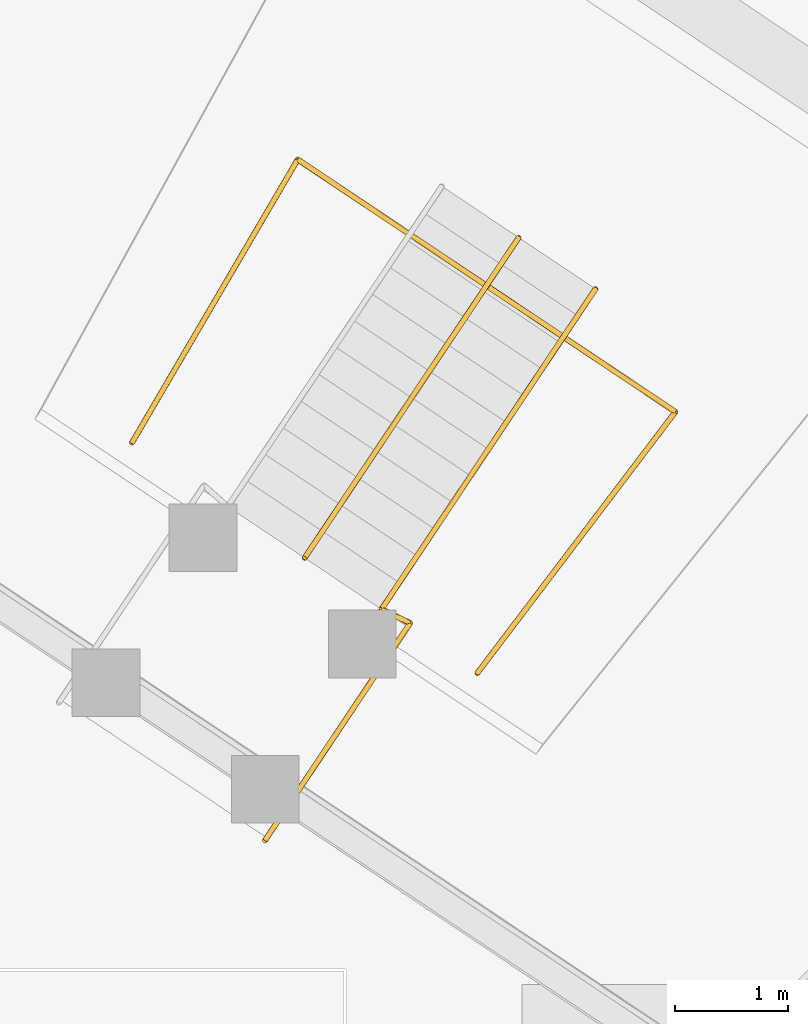
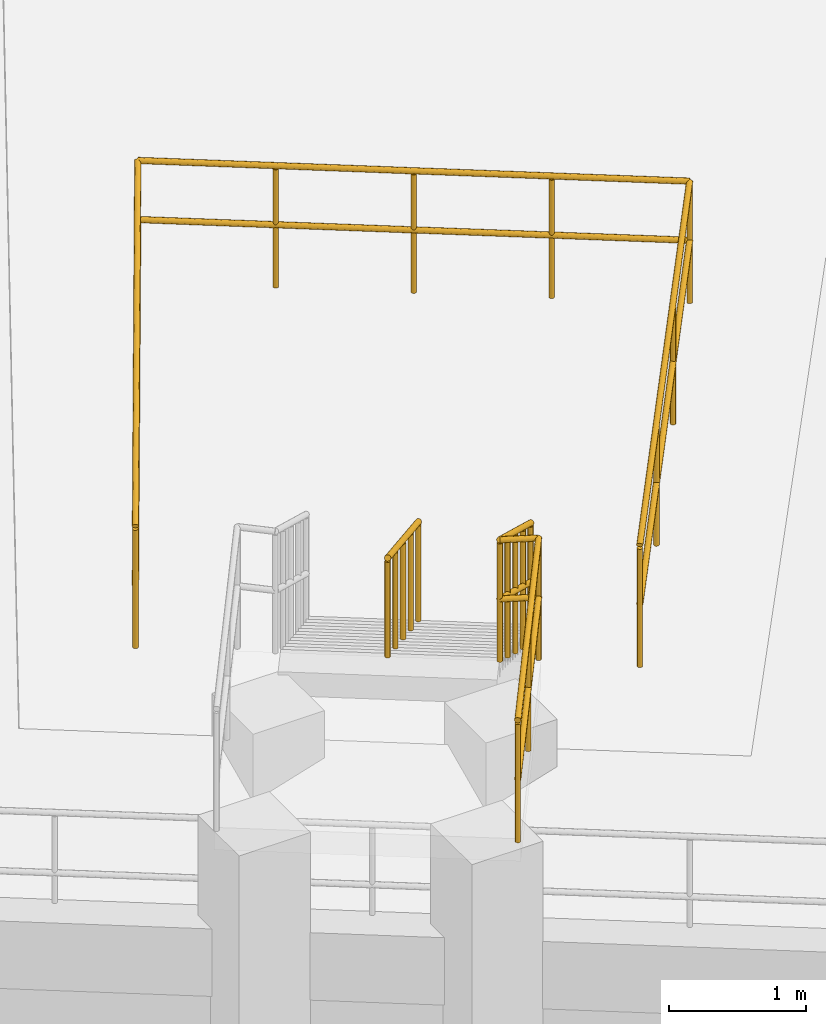
# One storey, part 60 of 68: 3 railings.
"""IFC4 building model written with IfcOpenShell, lengths in metres."""

from ifc_helpers import new_model, si_unit, direction, frame, origin, origin_2d, place, context, subcontext, project, spatial, circle, extrude, material, layer, layer_set, type_object, element, save


model = new_model("IFC4")

# Units and contexts
model_context = context("Model", 3, precision=1e-05, world=origin(), true_north=direction((0.0, 1.0)))
body_context = subcontext(model_context, "Body", "Model", "MODEL_VIEW")
ifc_project = project(units=[si_unit("LENGTHUNIT", "METRE"), si_unit("AREAUNIT", "SQUARE_METRE"), si_unit("VOLUMEUNIT", "CUBIC_METRE"), si_unit("PLANEANGLEUNIT", "RADIAN"), si_unit("MASSUNIT", "GRAM", prefix="KILO")], contexts=[model_context])

# Site, building, storey
site_placement = place(None, origin())
site = spatial("IfcSite", under=ifc_project, at=site_placement, CompositionType="ELEMENT")
building_placement = place(site_placement, origin())
building = spatial("IfcBuilding", under=site, at=building_placement, Name="Candeia Ridge Stadium", CompositionType="ELEMENT")
storey_placement = place(building_placement, origin())
storey = spatial("IfcBuildingStorey", under=building, at=storey_placement, Name="L00", CompositionType="ELEMENT", Elevation=0.0)

# Railings
ifc_material_1 = material(Name="Brushed Stainless Steel", Category="steel")
ifc_layer_1 = layer(ifc_material_1, 0.048095703125, Name="Brushed Stainless Steel", Category="steel")
ifc_layer_set_1 = layer_set([ifc_layer_1], Name="Brushed Stainless Steel")
railing_type_1 = type_object("IfcRailingType", Name="Stair Wall & Flight Handrail 900", PredefinedType="HANDRAIL", material=ifc_layer_set_1)
railing_1_placement = place(storey_placement, frame((160.049072265625, 123.5087890625, 0.17236328125)))
element("IfcRailing", 1, at=railing_1_placement, inside=storey, type_object=railing_type_1, Name="Vomitory stair handrail VS18", PredefinedType="HANDRAIL", context=body_context, shape_type="SweptSolid", body=[
    extrude(circle(Radius=0.02392578125, at=origin_2d()), frame((0.0, 0.0, 0.8759765625), z_axis=(-0.475465276115, -0.71151793279, 0.517373175307), x_axis=(0.831445756164, -0.555605934595, 0.0)), (0.0, 0.0, 1.0), 3.996337890625),
    extrude(circle(Radius=0.02099609375, at=origin_2d()), origin(), (0.0, 0.0, 1.0), 0.851806640625),
    extrude(circle(Radius=0.02099609375, at=origin_2d()), frame((-0.47509765625, -0.7109375, 0.516845703125)), (0.0, 0.0, 1.0), 0.851806640625),
    extrude(circle(Radius=0.02099609375, at=origin_2d()), frame((-0.9501953125, -1.421875, 1.03369140625)), (0.0, 0.0, 1.0), 0.851806640625),
    extrude(circle(Radius=0.02099609375, at=origin_2d()), frame((-1.425048828125, -2.132568359375, 1.55078125)), (0.0, 0.0, 1.0), 0.851806640625),
    extrude(circle(Radius=0.02099609375, at=origin_2d()), frame((-1.900146484375, -2.843505859375, 2.067626953125)), (0.0, 0.0, 1.0), 0.851806640625),
])
ifc_material_2 = material(Name="Galvanized Powder-Coated Steel", Category="steel")
ifc_layer_2 = layer(ifc_material_2, 0.070068359375, Name="Galvanized Powder-Coated Steel", Category="steel")
ifc_layer_set_2 = layer_set([ifc_layer_2], Name="Galvanized Powder-Coated Steel")
railing_type_2 = type_object("IfcRailingType", Name="Vomitory Portal Guardrail 1100", PredefinedType="GUARDRAIL", material=ifc_layer_set_2)
railing_2_placement = place(storey_placement, frame((159.680419921875, 119.641845703125, 2.239990234375)))
element("IfcRailing", 2, at=railing_2_placement, inside=storey, type_object=railing_type_2, Name="Vomitory portal guardrail VS18", PredefinedType="GUARDRAIL", context=body_context, shape_type="SweptSolid", body=[
    extrude(circle(Radius=0.02392578125, at=origin_2d()), frame((0.0, 0.0, 1.076171875), z_axis=(0.557581629409, 0.735549676542, 0.384797868866), x_axis=(-0.796911143855, 0.604096539304, 0.0)), (0.0, 0.0, 1.0), 3.1552734375),
    extrude(circle(Radius=0.02392578125, at=origin_2d()), frame((0.0, 0.0, 0.550048828125), z_axis=(0.557581629409, 0.735549676542, 0.384797868866), x_axis=(-0.796911143855, 0.604096539304, 0.0)), (0.0, 0.0, 1.0), 3.1552734375),
    extrude(circle(Radius=0.02392578125, at=origin_2d()), frame((1.75927734375, 2.32080078125, 2.2900390625), z_axis=(-0.831490773536, 0.55553856169, 0.0), x_axis=(-0.55553856169, -0.831490773536, 0.0)), (0.0, 0.0, 1.0), 4.03076171875),
    extrude(circle(Radius=0.02392578125, at=origin_2d()), frame((1.75927734375, 2.32080078125, 1.76416015625), z_axis=(-0.831490773536, 0.55553856169, 0.0), x_axis=(-0.55553856169, -0.831490773536, 0.0)), (0.0, 0.0, 1.0), 4.03076171875),
    extrude(circle(Radius=0.02392578125, at=origin_2d()), frame((-1.59228515625, 4.56005859375, 2.2900390625), z_axis=(-0.466142280989, -0.796635920117, -0.384815000558), x_axis=(0.863100039607, -0.505032990636, 0.0)), (0.0, 0.0, 1.0), 3.155029296875),
    extrude(circle(Radius=0.02392578125, at=origin_2d()), frame((-1.59228515625, 4.56005859375, 1.76416015625), z_axis=(-0.466142280989, -0.796635920117, -0.384815000558), x_axis=(0.863100039607, -0.505032990636, 0.0)), (0.0, 0.0, 1.0), 3.155029296875),
    extrude(circle(Radius=0.02099609375, at=origin_2d()), origin(), (0.0, 0.0, 1.0), 1.052001953125),
    extrude(circle(Radius=0.02099609375, at=origin_2d()), frame((0.58642578125, 0.773681640625, 0.40478515625)), (0.0, 0.0, 1.0), 1.052001953125),
    extrude(circle(Radius=0.02099609375, at=origin_2d()), frame((1.1728515625, 1.547119140625, 0.809326171875)), (0.0, 0.0, 1.0), 1.052001953125),
    extrude(circle(Radius=0.02099609375, at=origin_2d()), frame((1.75927734375, 2.32080078125, 1.214111328125)), (0.0, 0.0, 1.0), 1.052001953125),
    extrude(circle(Radius=0.02099609375, at=origin_2d()), frame((0.92138671875, 2.880615234375, 1.214111328125)), (0.0, 0.0, 1.0), 1.052001953125),
    extrude(circle(Radius=0.02099609375, at=origin_2d()), frame((0.08349609375, 3.4404296875, 1.214111328125)), (0.0, 0.0, 1.0), 1.052001953125),
    extrude(circle(Radius=0.02099609375, at=origin_2d()), frame((-0.75439453125, 4.000244140625, 1.214111328125)), (0.0, 0.0, 1.0), 1.052001953125),
    extrude(circle(Radius=0.02099609375, at=origin_2d()), frame((-1.59228515625, 4.56005859375, 1.214111328125)), (0.0, 0.0, 1.0), 1.052001953125),
    extrude(circle(Radius=0.02099609375, at=origin_2d()), frame((-2.08251953125, 3.72216796875, 0.809326171875)), (0.0, 0.0, 1.0), 1.052001953125),
    extrude(circle(Radius=0.02099609375, at=origin_2d()), frame((-2.57275390625, 2.884521484375, 0.40478515625)), (0.0, 0.0, 1.0), 1.052001953125),
    extrude(circle(Radius=0.02099609375, at=origin_2d()), frame((-3.06298828125, 2.046630859375, 0.0)), (0.0, 0.0, 1.0), 1.052001953125),
])
railing_3_placement = place(storey_placement, frame((160.730712890625, 123.05322265625, 0.0)))
element("IfcRailing", 3, at=railing_3_placement, inside=storey, type_object=railing_type_2, Name="Vomitory stair & landing side guardrail VS18-L", PredefinedType="GUARDRAIL", context=body_context, shape_type="SweptSolid", body=[
    extrude(circle(Radius=0.02392578125, at=origin_2d()), frame((0.0, 0.0, 1.076171875), z_axis=(-0.464737620723, -0.695553722509, 0.547926968663), x_axis=(0.831478733729, -0.555556581598, 0.0)), (0.0, 0.0, 1.0), 4.088134765625),
    extrude(circle(Radius=0.02392578125, at=origin_2d()), frame((0.0, 0.0, 0.550048828125), z_axis=(-0.464737620723, -0.695553722509, 0.547926968663), x_axis=(0.831478733729, -0.555556581598, 0.0)), (0.0, 0.0, 1.0), 4.088134765625),
    extrude(circle(Radius=0.02392578125, at=origin_2d()), frame((-1.89990234375, -2.843505859375, 3.31591796875), z_axis=(0.901563480577, -0.432646842691, 0.0), x_axis=(0.432646842691, 0.901563480577, 0.0)), (0.0, 0.0, 1.0), 0.28271484375),
    extrude(circle(Radius=0.02392578125, at=origin_2d()), frame((-1.89990234375, -2.843505859375, 2.7900390625), z_axis=(0.901563480577, -0.432646842691, 0.0), x_axis=(0.432646842691, 0.901563480577, 0.0)), (0.0, 0.0, 1.0), 0.28271484375),
    extrude(circle(Radius=0.02392578125, at=origin_2d()), frame((-1.64501953125, -2.9658203125, 3.31591796875), z_axis=(-0.555501294523, -0.8315156714, 0.0), x_axis=(0.8315156714, -0.555501294523, 0.0)), (0.0, 0.0, 1.0), 2.320068359375),
    extrude(circle(Radius=0.02392578125, at=origin_2d()), frame((-1.64501953125, -2.9658203125, 2.7900390625), z_axis=(-0.555501294523, -0.8315156714, 0.0), x_axis=(0.8315156714, -0.555501294523, 0.0)), (0.0, 0.0, 1.0), 2.320068359375),
    extrude(circle(Radius=0.02099609375, at=origin_2d()), origin(), (0.0, 0.0, 1.0), 1.052001953125),
    extrude(circle(Radius=0.02099609375, at=origin_2d()), frame((-0.47509765625, -0.7109375, 0.56005859375)), (0.0, 0.0, 1.0), 1.052001953125),
    extrude(circle(Radius=0.02099609375, at=origin_2d()), frame((-0.949951171875, -1.421875, 1.1201171875)), (0.0, 0.0, 1.0), 1.052001953125),
    extrude(circle(Radius=0.02099609375, at=origin_2d()), frame((-1.4248046875, -2.132568359375, 1.679931640625)), (0.0, 0.0, 1.0), 1.052001953125),
    extrude(circle(Radius=0.02099609375, at=origin_2d()), frame((-1.89990234375, -2.843505859375, 2.239990234375)), (0.0, 0.0, 1.0), 1.052001953125),
    extrude(circle(Radius=0.02099609375, at=origin_2d()), frame((-1.64501953125, -2.9658203125, 2.239990234375)), (0.0, 0.0, 1.0), 1.052001953125),
    extrude(circle(Radius=0.02099609375, at=origin_2d()), frame((-2.28955078125, -3.930419921875, 2.239990234375)), (0.0, 0.0, 1.0), 1.052001953125),
    extrude(circle(Radius=0.02099609375, at=origin_2d()), frame((-2.933837890625, -4.89501953125, 2.239990234375)), (0.0, 0.0, 1.0), 1.052001953125),
])

save(model, "model.ifc")
